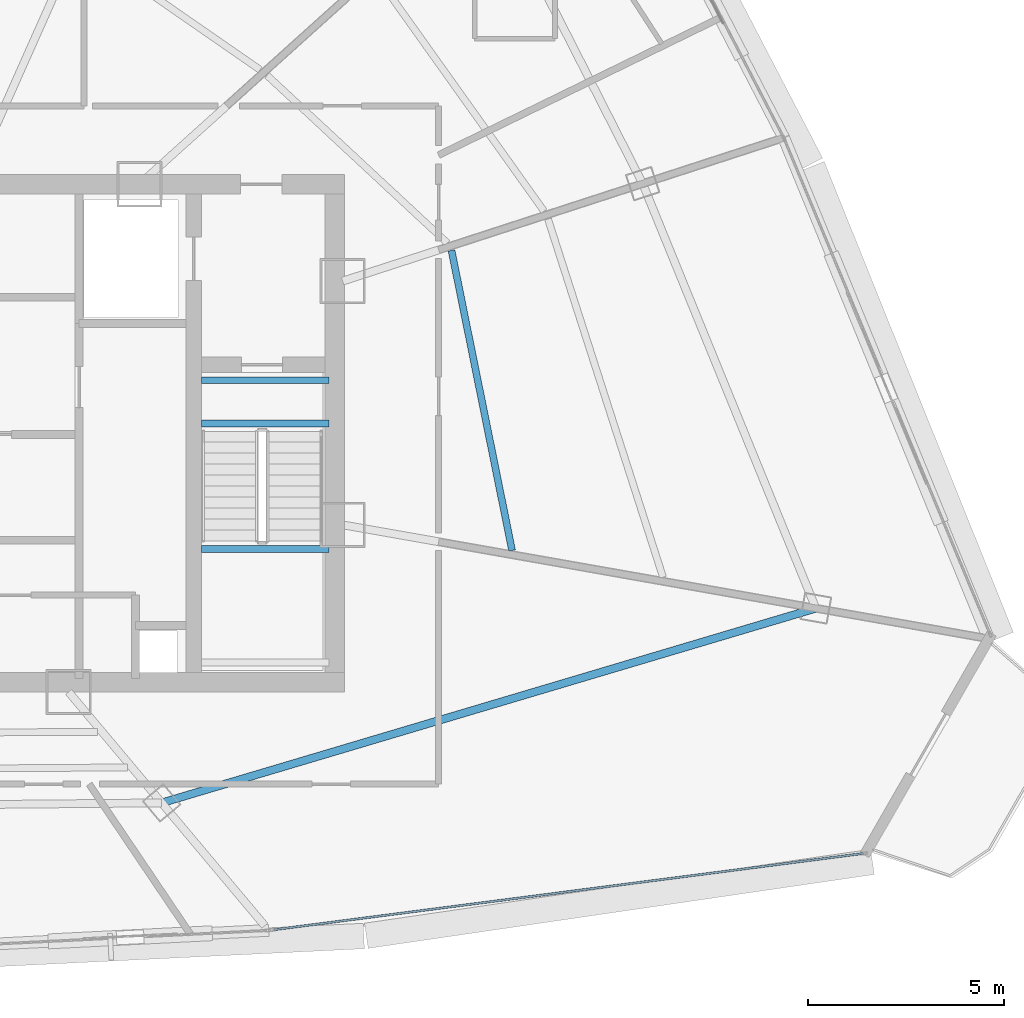
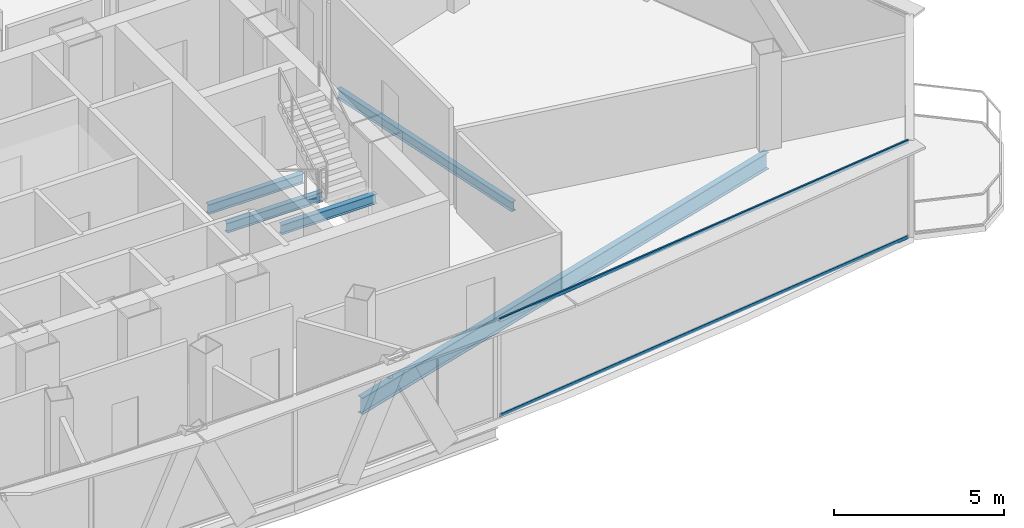
# One storey, part 13 of 33: 5 beams, 2 members, 1 element without a shape of its own.
"""IFC4 building model written with IfcOpenShell, lengths in metres."""

from ifc_helpers import new_model, si_unit, direction, frame, origin, origin_2d, place, context, subcontext, project, spatial, hollow_rectangle, i_section, extrude, source, transform, mapped, material, layer, layer_set, material_profile, profile_set, type_object, element, aggregate, save


model = new_model("IFC4")

# Units and contexts
model_context = context("Model", 3, precision=1e-05, world=origin(), true_north=direction((0.0, 1.0)))
body_context = subcontext(model_context, "Body", "Model", "MODEL_VIEW")
ifc_project = project(units=[si_unit("LENGTHUNIT", "METRE"), si_unit("AREAUNIT", "SQUARE_METRE"), si_unit("VOLUMEUNIT", "CUBIC_METRE"), si_unit("PLANEANGLEUNIT", "RADIAN"), si_unit("MASSUNIT", "GRAM", prefix="KILO"), si_unit("THERMODYNAMICTEMPERATUREUNIT", "KELVIN"), si_unit("POWERUNIT", "WATT")], contexts=[model_context])

# Site, building, storey
site_placement = place(None, origin())
site = spatial("IfcSite", under=ifc_project, at=site_placement, CompositionType="ELEMENT")
building_placement = place(site_placement, origin())
building = spatial("IfcBuilding", under=site, at=building_placement, Name="Yunzhuo Pagoda Commons", CompositionType="ELEMENT")
storey_placement = place(building_placement, frame((0.0, 0.0, 325.510009765625)))
storey = spatial("IfcBuildingStorey", under=building, at=storey_placement, Name="L81", CompositionType="ELEMENT", Elevation=325.510009765625)

# Beams
ifc_material_1 = material(Name="Structural steel Q355B", Category="steel")
ifc_material_profile_1 = material_profile(ifc_material_1, i_section(OverallWidth=0.175048828125, OverallDepth=0.35009765625, WebThickness=0.007080078125, FlangeThickness=0.010986328125, at=origin_2d()), Name="Structural steel Q355B")
ifc_profile_set_1 = profile_set([ifc_material_profile_1], Name="Structural steel Q355B")
beam_type_1 = type_object("IfcBeamType", Name="B-JS2 Joist HN 350x175x7x11", PredefinedType="JOIST", material=ifc_profile_set_1)
shared_shape_1 = source(origin(), body_context, "Body", "SweptSolid", [
    extrude(i_section(OverallWidth=0.175048828125, OverallDepth=0.35009765625, WebThickness=0.007080078125, FlangeThickness=0.010986328125, at=origin_2d()), origin(), (0.0, 0.0, 1.0), 3.25),
])
for number, where, z_axis, x_axis, name in (
    (1, (56.800048828125, 30.89990234375, 1.5), (1.0, 0.0, 0.0), (0.0, 1.0, 0.0), "L81 ST2 landing support beam 87B"),
    (2, (56.800048828125, 34.10009765625, -0.375), (1.0, 0.0, 0.0), (0.0, 1.0, 0.0), "L81 ST2 landing support beam 185A"),
    (3, (56.800048828125, 35.199951171875, -0.375), (1.0, 0.0, 0.0), (0.0, 1.0, 0.0), "L81 ST2 landing support beam 185B"),
):
    element("IfcBeam", number, at=place(storey_placement, frame(where, z_axis=z_axis, x_axis=x_axis)), inside=storey, type_object=beam_type_1, Name=name, PredefinedType="JOIST", context=body_context, shape_type="MappedRepresentation", body=[
        mapped(shared_shape_1, transform((0.0, 0.0, 0.0), scale=1.0)),
    ])
ifc_material_profile_2 = material_profile(ifc_material_1, i_section(OverallWidth=0.199951171875, OverallDepth=0.60009765625, WebThickness=0.010986328125, FlangeThickness=0.01708984375, at=origin_2d()), Name="Structural steel Q355B")
ifc_profile_set_2 = profile_set([ifc_material_profile_2], Name="Structural steel Q355B")
beam_type_2 = type_object("IfcBeamType", Name="B-RG3 Beam HN 600x200x11x17", PredefinedType="BEAM", material=ifc_profile_set_2)
shared_shape_2 = source(origin(), body_context, "Body", "SweptSolid", [
    extrude(i_section(OverallWidth=0.199951171875, OverallDepth=0.60009765625, WebThickness=0.010986328125, FlangeThickness=0.01708984375, at=origin_2d()), origin(), (0.0, 0.0, 1.0), 17.407470703125),
])
beam_1_placement = place(storey_placement, frame((55.785400390625, 24.421630859375, -0.56005859375), z_axis=(0.958484984609, 0.285143006717, 0.0), x_axis=(-0.285143006717, 0.958484984609, 0.0)))
element("IfcBeam", 4, at=beam_1_placement, inside=storey, type_object=beam_type_2, Name="L81 column-ring beam 4", PredefinedType="BEAM", context=body_context, shape_type="MappedRepresentation", body=[
    mapped(shared_shape_2, transform((0.0, 0.0, 0.0), scale=1.0)),
])
shared_shape_3 = source(origin(), body_context, "Body", "SweptSolid", [
    extrude(i_section(OverallWidth=0.175048828125, OverallDepth=0.35009765625, WebThickness=0.007080078125, FlangeThickness=0.010986328125, at=origin_2d()), origin(), (0.0, 0.0, 1.0), 7.8056640625),
])
beam_2_placement = place(storey_placement, frame((64.722412109375, 30.860107421875, -0.43505859375), z_axis=(-0.197830082137, 0.980236327934, 0.0), x_axis=(-0.980236327934, -0.197830082137, 0.0)))
element("IfcBeam", 5, at=beam_2_placement, inside=storey, type_object=beam_type_1, Name="L81 composite ring joist 1.5", PredefinedType="JOIST", context=body_context, shape_type="MappedRepresentation", body=[
    mapped(shared_shape_3, transform((0.0, 0.0, 0.0), scale=1.0)),
])

# Curtain wall, members
ifc_material_2 = material(Name="Anodized aluminium 6063-T6", Category="aluminium")
ifc_layer = layer(ifc_material_2, 0.139892578125)
ifc_layer_set = layer_set([ifc_layer], Name="Anodized aluminium 6063-T6")
curtain_wall_type = type_object("IfcCurtainWallType", Name="CW-HI High-Zone Ribbon Curtain Wall", PredefinedType="NOTDEFINED", material=ifc_layer_set)
curtain_wall_placement = place(storey_placement, origin())
curtain_wall = element("IfcCurtainWall", 6, at=curtain_wall_placement, inside=storey, type_object=curtain_wall_type, Name="L81 curtain wall CW-L81-F1B5", PredefinedType="NOTDEFINED")
ifc_material_profile_3 = material_profile(ifc_material_2, hollow_rectangle(XDim=0.054931640625, YDim=0.1201171875, WallThickness=0.00341796875, at=origin_2d()), Name="Anodized aluminium 6063-T6")
ifc_profile_set_3 = profile_set([ifc_material_profile_3], Name="Anodized aluminium 6063-T6")
member_type = type_object("IfcMemberType", Name="CW-HI-T Transom RHS 120x55x3.5", PredefinedType="USERDEFINED", material=ifc_profile_set_3)
shared_shape_4 = source(origin(), body_context, "Body", "SweptSolid", [
    extrude(hollow_rectangle(XDim=0.054931640625, YDim=0.1201171875, WallThickness=0.00341796875, at=origin_2d()), origin(), (0.0, 0.0, 1.0), 15.1572265625),
])
member_1_placement = place(storey_placement, frame((58.648193359375, 21.186767578125, 0.027587890625), z_axis=(0.991736202571, 0.128293821011, 0.0), x_axis=(-0.128293821011, 0.991736202571, 0.0)))
member_1 = element("IfcMember", 7, at=member_1_placement, type_object=member_type, Name="CW transom 1.1", ObjectType="TRANSOM", PredefinedType="USERDEFINED", context=body_context, shape_type="MappedRepresentation", body=[
    mapped(shared_shape_4, transform((0.0, 0.0, 0.0), scale=1.0)),
])
member_2_placement = place(storey_placement, frame((58.648193359375, 21.186767578125, 3.46240234375), z_axis=(0.991736202571, 0.128293821011, 0.0), x_axis=(-0.128293821011, 0.991736202571, 0.0)))
member_2 = element("IfcMember", 8, at=member_2_placement, type_object=member_type, Name="CW transom 1.2", ObjectType="TRANSOM", PredefinedType="USERDEFINED", context=body_context, shape_type="MappedRepresentation", body=[
    mapped(shared_shape_4, transform((0.0, 0.0, 0.0), scale=1.0)),
])
aggregate(curtain_wall, [member_1, member_2])

save(model, "model.ifc")
